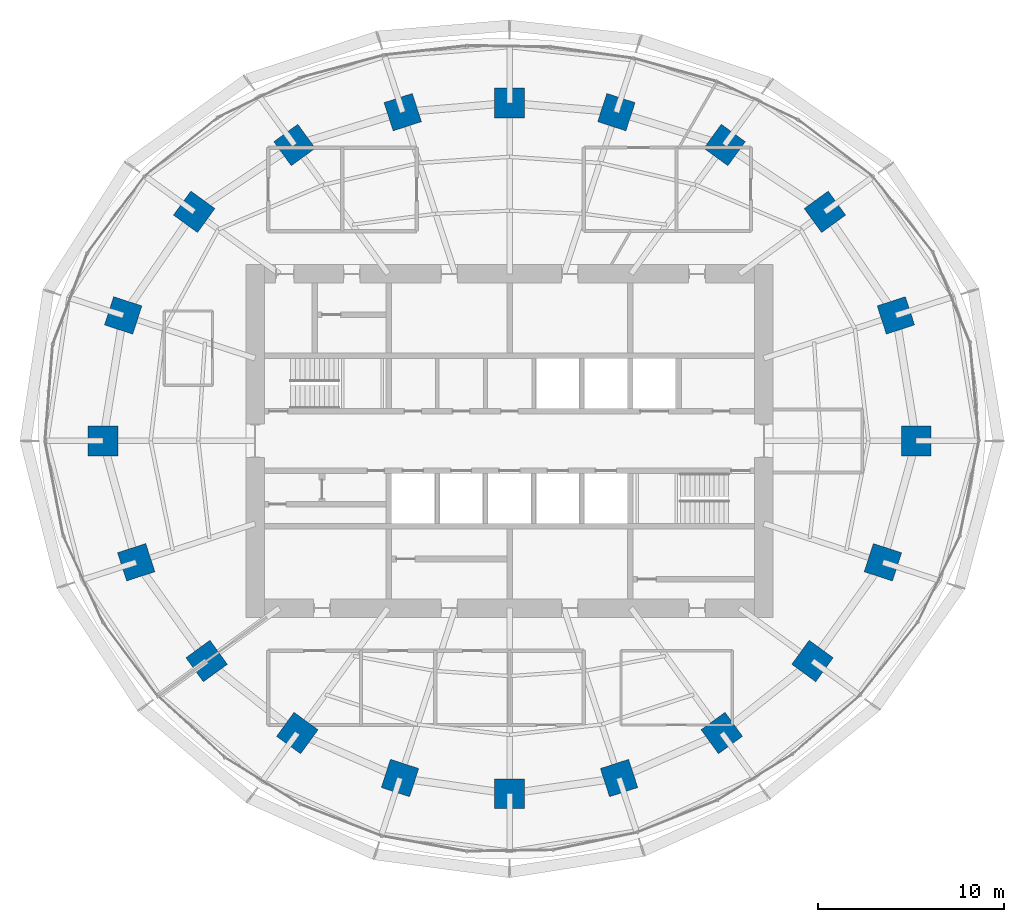
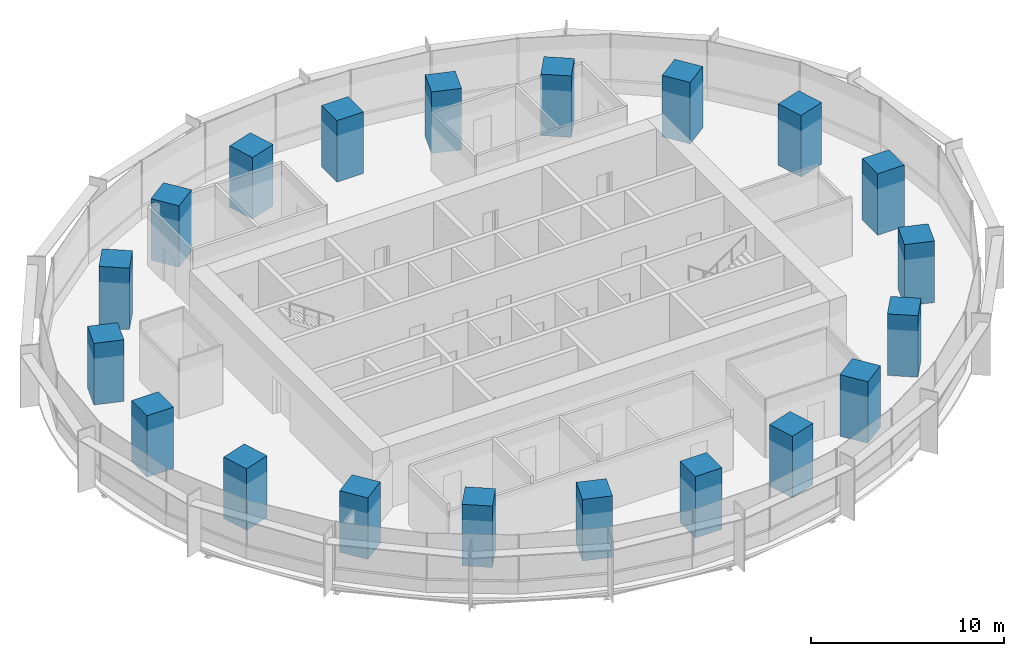
# One storey, part 1 of 14: 20 columns.
"""IFC4 building model written with IfcOpenShell, lengths in metres."""

import ifcopenshell
import ifcopenshell.guid

model = None  # the IFC model being written
_history = None  # IfcOwnerHistory: only IFC2X3 demands one
_inside = {}  # id of a spatial element -> (the spatial element, [elements in it])
_under = {}  # id of a project, library or spatial element -> (it, [spatial elements below it])
_declared = {}  # id of a project -> (the project, [libraries it declares])
_typed = {}  # id of a type object -> (the type object, [elements of that type])
_made_of = {}  # id of a material, layer set ... -> (it, [elements and type objects made of it])


def new_model(schema):
    """Start an empty IFC model of exactly this schema.

    Asked for "IFC4X3", IfcOpenShell would pick the latest addendum, in which some entities
    have other attributes; the version numbers below select the first issue.
    IFC2X3 requires an IfcOwnerHistory on every rooted entity: one is made here for all.
    """
    global model, _history
    if schema == "IFC4X3":
        model = ifcopenshell.file(schema_version=(4, 3, 0, 0))
    else:
        model = ifcopenshell.file(schema=schema)
    _inside.clear()
    _under.clear()
    _declared.clear()
    _typed.clear()
    _made_of.clear()
    _history = None
    if model.schema == "IFC2X3":
        org = make("IfcOrganization", Name="unknown")
        user = make(
            "IfcPersonAndOrganization",
            ThePerson=make("IfcPerson", FamilyName="unknown"),
            TheOrganization=org,
        )
        app = make(
            "IfcApplication",
            ApplicationDeveloper=org,
            Version="unknown",
            ApplicationFullName="unknown",
            ApplicationIdentifier="unknown",
        )
        _history = make(
            "IfcOwnerHistory",
            OwningUser=user,
            OwningApplication=app,
            ChangeAction="ADDED",
            CreationDate=0,
        )
    return model


def make(cls, **values):
    """One entity of the class cls with the attributes given. An attribute that is None is left unset."""
    return model.create_entity(
        cls, **{name: value for name, value in values.items() if value is not None}
    )


def rooted(cls, **values):
    """An entity with a GlobalId (a new one), such as an element, a storey or a relation."""
    return make(cls, GlobalId=ifcopenshell.guid.new(), OwnerHistory=_history, **values)


def si_unit(unit_type, name, prefix=None):
    """IfcSIUnit, for example si_unit("LENGTHUNIT", "METRE", prefix="MILLI")."""
    return make("IfcSIUnit", UnitType=unit_type, Prefix=prefix, Name=name)


def assignment(units):
    """IfcUnitAssignment: the units of a project."""
    return None if units is None else make("IfcUnitAssignment", Units=units)


def point(xyz):
    """IfcCartesianPoint."""
    return None if xyz is None else make("IfcCartesianPoint", Coordinates=xyz)


def direction(xyz):
    """IfcDirection."""
    return None if xyz is None else make("IfcDirection", DirectionRatios=xyz)


def frame(location, z_axis=None, x_axis=None):
    """IfcAxis2Placement3D, a coordinate frame: its origin and axes. An axis left out is left unset."""
    return make(
        "IfcAxis2Placement3D",
        Location=point(location),
        Axis=direction(z_axis),
        RefDirection=direction(x_axis),
    )


def frame_2d(location, x_axis=None):
    """IfcAxis2Placement2D, a coordinate frame in the plane: its origin and x axis."""
    return make(
        "IfcAxis2Placement2D", Location=point(location), RefDirection=direction(x_axis)
    )


def origin():
    """The frame at (0, 0, 0) with its axes left unset."""
    return frame((0.0, 0.0, 0.0))


def origin_2d():
    """The frame at (0, 0) in the plane with its x axis left unset."""
    return frame_2d((0.0, 0.0))


def place(relative_to, where):
    """IfcLocalPlacement: puts the frame where relative to a parent placement (None: the world)."""
    return make(
        "IfcLocalPlacement", PlacementRelTo=relative_to, RelativePlacement=where
    )


def context(
    kind, dimensions, precision=None, world=None, true_north=None, identifier=None
):
    """IfcGeometricRepresentationContext, for example the 3D "Model" context."""
    return make(
        "IfcGeometricRepresentationContext",
        ContextIdentifier=identifier,
        ContextType=kind,
        CoordinateSpaceDimension=dimensions,
        Precision=precision,
        WorldCoordinateSystem=world,
        TrueNorth=true_north,
    )


def subcontext(parent, identifier, kind, view, scale=None):
    """IfcGeometricRepresentationSubContext, for example "Body" below "Model"."""
    return make(
        "IfcGeometricRepresentationSubContext",
        ContextIdentifier=identifier,
        ContextType=kind,
        ParentContext=parent,
        TargetScale=scale,
        TargetView=view,
    )


def project(units=None, contexts=None):
    """IfcProject with its units and contexts."""
    return rooted(
        "IfcProject",
        Name="project",
        RepresentationContexts=contexts,
        UnitsInContext=assignment(units),
    )


def spatial(cls, under=None, at=None, **own):
    """A site, building, storey or space (cls), placed at a placement, below another one or the project."""
    s = rooted(cls, ObjectPlacement=at, **own)
    if under is not None:
        _under.setdefault(under.id(), (under, []))[1].append(s)
    return s


def profile(cls, at=None, kind="AREA", **sizes):
    """A parametric profile (cls). Its sizes go by their IFC names, for example OverallWidth=200.0."""
    return make(cls, ProfileType=kind, Position=at, **sizes)


def rectangle(**sizes):
    """IfcRectangleProfileDef."""
    return profile("IfcRectangleProfileDef", **sizes)


def extrude(swept, where, along, depth):
    """IfcExtrudedAreaSolid: the profile swept, set in the frame where, extruded along a direction by depth."""
    return make(
        "IfcExtrudedAreaSolid",
        SweptArea=swept,
        Position=where,
        ExtrudedDirection=direction(along),
        Depth=depth,
    )


def shape(context_of_items, identifier, shape_type, items):
    """IfcShapeRepresentation: the items that make up one representation, for example the "Body"."""
    return make(
        "IfcShapeRepresentation",
        ContextOfItems=context_of_items,
        RepresentationIdentifier=identifier,
        RepresentationType=shape_type,
        Items=items,
    )


def material(Name=None, Category=None):
    """IfcMaterial."""
    return make("IfcMaterial", Name=Name, Category=Category)


def material_profile(
    of_material, cross_section, Name=None, Category=None, Priority=None
):
    """IfcMaterialProfile: a cross section and its material."""
    return make(
        "IfcMaterialProfile",
        Name=Name,
        Material=of_material,
        Profile=cross_section,
        Priority=Priority,
        Category=Category,
    )


def profile_set(profiles, Name=None, composite=None):
    """IfcMaterialProfileSet."""
    return make(
        "IfcMaterialProfileSet",
        Name=Name,
        MaterialProfiles=profiles,
        CompositeProfile=composite,
    )


def made_of(thing, what):
    """Note that an element or type object is made of a material, layer set ...; save() writes the relation."""
    if what is not None:
        _made_of.setdefault(what.id(), (what, []))[1].append(thing)
    return thing


def type_object(cls, material=None, **own):
    """A type object (cls), such as IfcWallType, which elements share."""
    return made_of(rooted(cls, **own), material)


def element(
    cls,
    number,
    at=None,
    inside=None,
    cuts=None,
    type_object=None,
    material=None,
    context=None,
    identifier="Body",
    shape_type=None,
    held_by="IfcProductDefinitionShape",
    body=None,
    shapes=None,
    **own,
):
    """One element of the class cls, such as IfcWall. Its Tag is "e" and its number.

    at: its placement. inside: the storey or other place that contains it. cuts: it is an
    opening in that element (IfcRelVoidsElement). A single representation is given by context,
    identifier, shape_type and body (its items); several are given by shapes. held_by: the class
    of the entity that holds the representations. save() writes the other relations.
    """
    e = rooted(cls, Tag="e%d" % number, ObjectPlacement=at, **own)
    if body is not None:
        shapes = [shape(context, identifier, shape_type, body)]
    if shapes is not None:
        e.Representation = make(held_by, Representations=shapes)
    if inside is not None:
        _inside.setdefault(inside.id(), (inside, []))[1].append(e)
    if cuts is not None:
        rooted(
            "IfcRelVoidsElement", RelatingBuildingElement=cuts, RelatedOpeningElement=e
        )
    if type_object is not None:
        _typed.setdefault(type_object.id(), (type_object, []))[1].append(e)
    return made_of(e, material)


def aggregate(whole, parts):
    """IfcRelAggregates: a whole, such as a stair, and the parts it consists of."""
    return rooted("IfcRelAggregates", RelatingObject=whole, RelatedObjects=parts)


def save(model, path):
    """Write the relations noted so far, then the file.

    IfcRelAggregates (storeys below a building ...), IfcRelContainedInSpatialStructure (elements
    in a storey), IfcRelDefinesByType, IfcRelAssociatesMaterial and IfcRelDeclares: one each for
    every whole, place, type object, material and project.
    """
    for whole, parts in _under.values():
        aggregate(whole, parts)
    for where, things in _inside.values():
        rooted(
            "IfcRelContainedInSpatialStructure",
            RelatedElements=things,
            RelatingStructure=where,
        )
    for kind, things in _typed.values():
        rooted("IfcRelDefinesByType", RelatedObjects=things, RelatingType=kind)
    for what, things in _made_of.values():
        rooted("IfcRelAssociatesMaterial", RelatedObjects=things, RelatingMaterial=what)
    for by, libraries in _declared.values():
        rooted("IfcRelDeclares", RelatingContext=by, RelatedDefinitions=libraries)
    model.write(path)


model = new_model("IFC4")

# Units and contexts
model_context = context("Model", 3, precision=1e-05, world=origin(), true_north=direction((0.0, 1.0)))
body_context = subcontext(model_context, "Body", "Model", "MODEL_VIEW")
ifc_project = project(units=[si_unit("LENGTHUNIT", "METRE"), si_unit("AREAUNIT", "SQUARE_METRE"), si_unit("VOLUMEUNIT", "CUBIC_METRE"), si_unit("PLANEANGLEUNIT", "RADIAN"), si_unit("MASSUNIT", "GRAM", prefix="KILO")], contexts=[model_context])

# Site, building, storey
site_placement = place(None, origin())
site = spatial("IfcSite", under=ifc_project, at=site_placement, CompositionType="ELEMENT")
building_placement = place(site_placement, origin())
building = spatial("IfcBuilding", under=site, at=building_placement, Name="Marramba Exchange Tower", CompositionType="ELEMENT")
storey_placement = place(building_placement, frame((0.0, 0.0, 143.10009765625)))
storey = spatial("IfcBuildingStorey", under=building, at=storey_placement, Name="L34", CompositionType="ELEMENT", Elevation=143.10009765625)

# Columns
ifc_material = material(Name="Concrete N50", Category="concrete")
ifc_material_profile = material_profile(ifc_material, rectangle(XDim=1.60009765625, YDim=1.60009765625, at=origin_2d()), Name="RC 1600x1600")
ifc_profile_set = profile_set([ifc_material_profile], Name="Concrete N50")
column_type = type_object("IfcColumnType", Name="Perimeter column RC 1600x1600 N50", PredefinedType="COLUMN", material=ifc_profile_set)
for number, where, z_axis, x_axis, name in (
    (1, (21.89990234375, 0.0, 0.0), (0.0, 0.0, 1.0), (1.0, 0.0, 0.0), "Column TC01 L34"),
    (2, (20.808349609375, 6.760986328125, 0.0), (0.0, 0.0, 1.0), (0.951056516295, 0.309016994375, 0.0), "Column TC02 L34"),
    (3, (16.98583984375, 12.3408203125, 0.0), (0.0, 0.0, 1.0), (0.809016994375, 0.587785252292, 0.0), "Column TC03 L34"),
    (4, (11.581298828125, 15.9404296875, 0.0), (0.0, 0.0, 1.0), (0.587785252292, 0.809016994375, 0.0), "Column TC04 L34"),
    (5, (5.75390625, 17.70849609375, 0.0), (0.0, 0.0, 1.0), (0.309016994375, 0.951056516295, 0.0), "Column TC05 L34"),
    (6, (0.0, 18.2041015625, 0.0), (0.0, 0.0, 1.0), (0.0, 1.0, 0.0), "Column TC06 L34"),
    (7, (-5.75390625, 17.70849609375, 0.0), (0.0, 0.0, 1.0), (-0.309016994375, 0.951056516295, 0.0), "Column TC07 L34"),
    (8, (-11.581298828125, 15.9404296875, 0.0), (0.0, 0.0, 1.0), (-0.587785252292, 0.809016994375, 0.0), "Column TC08 L34"),
    (9, (-16.98583984375, 12.3408203125, 0.0), (0.0, 0.0, 1.0), (-0.809016994375, 0.587785252292, 0.0), "Column TC09 L34"),
    (10, (-20.808349609375, 6.760986328125, 0.0), (0.0, 0.0, 1.0), (-0.951056516295, 0.309016994375, 0.0), "Column TC10 L34"),
    (11, (-21.89990234375, 0.0, 0.0), (0.0, 0.0, 1.0), (-1.0, 0.0, 0.0), "Column TC11 L34"),
    (12, (-20.109375, -6.533935546875, 0.0), (0.0, 0.0, 1.0), (-0.951056516295, -0.309016994375, 0.0), "Column TC12 L34"),
    (13, (-16.3154296875, -11.853759765625, 0.0), (0.0, 0.0, 1.0), (-0.809016994375, -0.587785252292, 0.0), "Column TC13 L34"),
    (14, (-11.430419921875, -15.732666015625, 0.0), (0.0, 0.0, 1.0), (-0.587785252292, -0.809016994375, 0.0), "Column TC14 L34"),
    (15, (-5.899658203125, -18.156982421875, 0.0), (0.0, 0.0, 1.0), (-0.309016994375, -0.951056516295, 0.0), "Column TC15 L34"),
    (16, (0.0, -18.99609375, 0.0), (0.0, 0.0, 1.0), (0.0, -1.0, 0.0), "Column TC16 L34"),
    (17, (5.899658203125, -18.156982421875, 0.0), (0.0, 0.0, 1.0), (0.309016994375, -0.951056516295, 0.0), "Column TC17 L34"),
    (18, (11.430419921875, -15.732666015625, 0.0), (0.0, 0.0, 1.0), (0.587785252292, -0.809016994375, 0.0), "Column TC18 L34"),
    (19, (16.3154296875, -11.853759765625, 0.0), (0.0, 0.0, 1.0), (0.809016994375, -0.587785252292, 0.0), "Column TC19 L34"),
    (20, (20.109375, -6.533935546875, 0.0), (0.0, 0.0, 1.0), (0.951056516295, -0.309016994375, 0.0), "Column TC20 L34"),
):
    element("IfcColumn", number, at=place(storey_placement, frame(where, z_axis=z_axis, x_axis=x_axis)), inside=storey, type_object=column_type, Name=name, PredefinedType="COLUMN", context=body_context, shape_type="SweptSolid", body=[
        extrude(rectangle(XDim=1.60009765625, YDim=1.60009765625, at=origin_2d()), origin(), (0.0, 0.0, 1.0), 3.89990234375),
    ])

save(model, "model.ifc")
